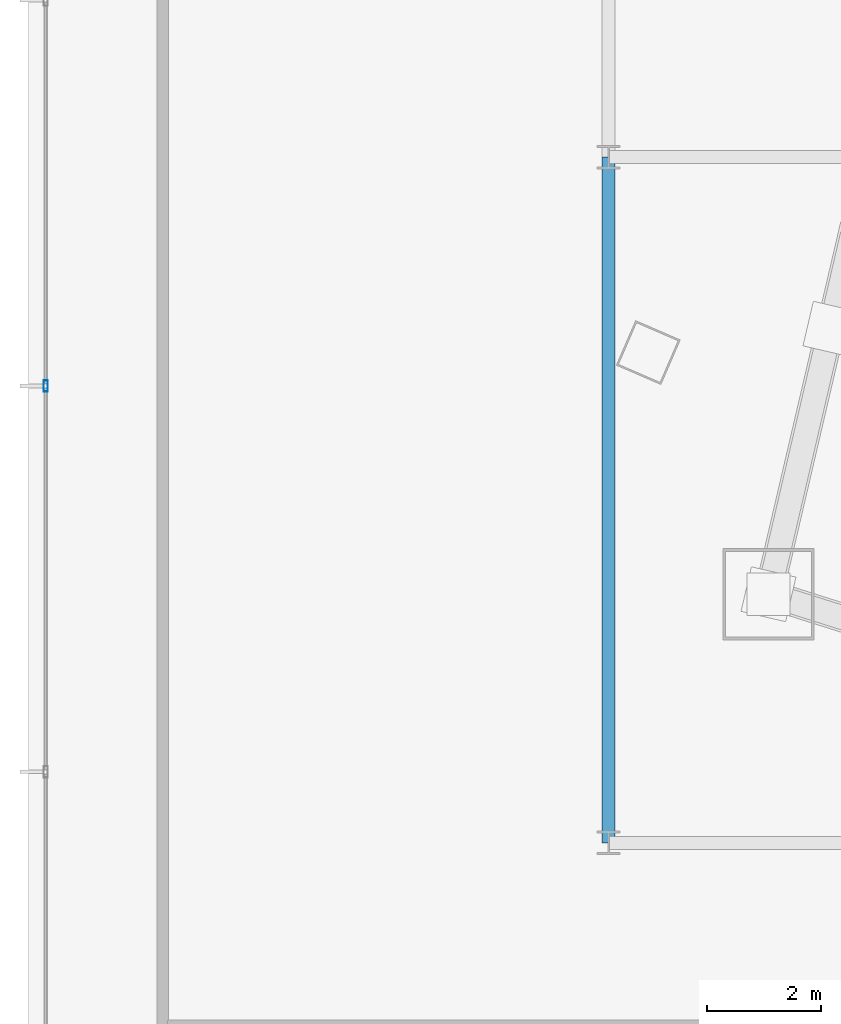
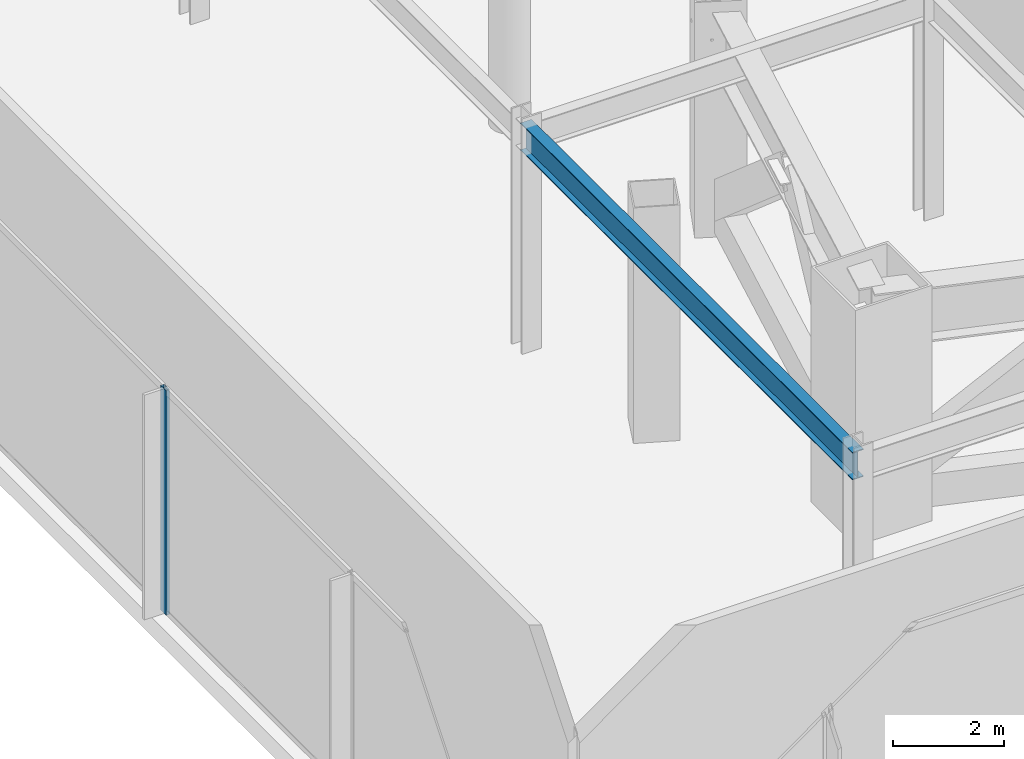
# One storey, part 4 of 43: 1 beam, 1 member, 1 element without a shape of its own.
"""IFC4 building model written with IfcOpenShell, lengths in metres."""

from ifc_helpers import new_model, si_unit, direction, frame, origin, origin_2d, place, context, subcontext, project, spatial, hollow_rectangle, i_section, extrude, material, layer, layer_set, material_profile, profile_set, type_object, element, aggregate, save


model = new_model("IFC4")

# Units and contexts
model_context = context("Model", 3, precision=1e-05, world=origin(), true_north=direction((0.0, 1.0)))
body_context = subcontext(model_context, "Body", "Model", "MODEL_VIEW")
ifc_project = project(units=[si_unit("LENGTHUNIT", "METRE"), si_unit("AREAUNIT", "SQUARE_METRE"), si_unit("VOLUMEUNIT", "CUBIC_METRE"), si_unit("PLANEANGLEUNIT", "RADIAN"), si_unit("MASSUNIT", "GRAM", prefix="KILO")], contexts=[model_context])

# Site, building, storey
site_placement = place(None, origin())
site = spatial("IfcSite", under=ifc_project, at=site_placement, CompositionType="ELEMENT")
building_placement = place(site_placement, origin())
building = spatial("IfcBuilding", under=site, at=building_placement, Name="Orvanel Arch Residences", CompositionType="ELEMENT")
storey_placement = place(building_placement, frame((0.0, 0.0, 18.39990234375)))
storey = spatial("IfcBuildingStorey", under=building, at=storey_placement, Name="L04", CompositionType="ELEMENT", Elevation=18.39990234375)

# Beam
ifc_material_1 = material(Name="Structural steel AS/NZS 3679.1 Grade 300 (300 MPa)", Category="steel")
ifc_material_profile_1 = material_profile(ifc_material_1, i_section(OverallWidth=0.22900390625, OverallDepth=0.612060546875, WebThickness=0.011962890625, FlangeThickness=0.01953125, at=origin_2d()), Name="610UB125")
ifc_profile_set_1 = profile_set([ifc_material_profile_1], Name="Structural steel AS/NZS 3679.1 Grade 300 (300 MPa)")
beam_type = type_object("IfcBeamType", Name="BG-610UB", PredefinedType="BEAM", material=ifc_profile_set_1)
beam_placement = place(storey_placement, frame((11.39990234375, 6.0, 4.654052734375), z_axis=(0.0, 1.0, 0.0), x_axis=(-1.0, 0.0, 0.0)))
element("IfcBeam", 1, at=beam_placement, inside=storey, type_object=beam_type, Name="L04 North-South Podium Girder XW11-S", PredefinedType="BEAM", context=body_context, shape_type="SweptSolid", body=[
    extrude(i_section(OverallWidth=0.22900390625, OverallDepth=0.612060546875, WebThickness=0.011962890625, FlangeThickness=0.01953125, at=origin_2d()), origin(), (0.0, 0.0, 1.0), 12.0),
])

# Curtain wall, member
ifc_material_2 = material(Name="Bronze-anodised aluminium AA6063-T6", Category="aluminium")
ifc_layer = layer(ifc_material_2, 0.199951171875)
ifc_layer_set = layer_set([ifc_layer], Name="Bronze-anodised aluminium AA6063-T6")
curtain_wall_type = type_object("IfcCurtainWallType", Name="CW1-POD-SYS", PredefinedType="NOTDEFINED", material=ifc_layer_set)
curtain_wall_placement = place(storey_placement, origin())
curtain_wall = element("IfcCurtainWall", 2, at=curtain_wall_placement, inside=storey, type_object=curtain_wall_type, Name="L04 CW1-POD-SYS Unitised Curtain Wall", PredefinedType="NOTDEFINED")
ifc_material_profile_2 = material_profile(ifc_material_2, hollow_rectangle(XDim=0.074951171875, YDim=0.199951171875, WallThickness=0.0048828125, at=origin_2d()), Name="ALU200x75x5")
ifc_profile_set_2 = profile_set([ifc_material_profile_2], Name="Bronze-anodised aluminium AA6063-T6")
member_type = type_object("IfcMemberType", Name="MUL-200x75", PredefinedType="MULLION", material=ifc_profile_set_2)
member_placement = place(storey_placement, frame((1.550048828125, 13.9951171875, 0.0), z_axis=(0.0, 0.0, 1.0), x_axis=(1.0, 0.0, 0.0)))
member = element("IfcMember", 3, at=member_placement, type_object=member_type, Name="CW-S1 mullion 7", PredefinedType="MULLION", context=body_context, shape_type="SweptSolid", body=[
    extrude(hollow_rectangle(XDim=0.074951171875, YDim=0.199951171875, WallThickness=0.0048828125, at=origin_2d()), origin(), (0.0, 0.0, 1.0), 4.960205078125),
])
aggregate(curtain_wall, [member])

save(model, "model.ifc")
